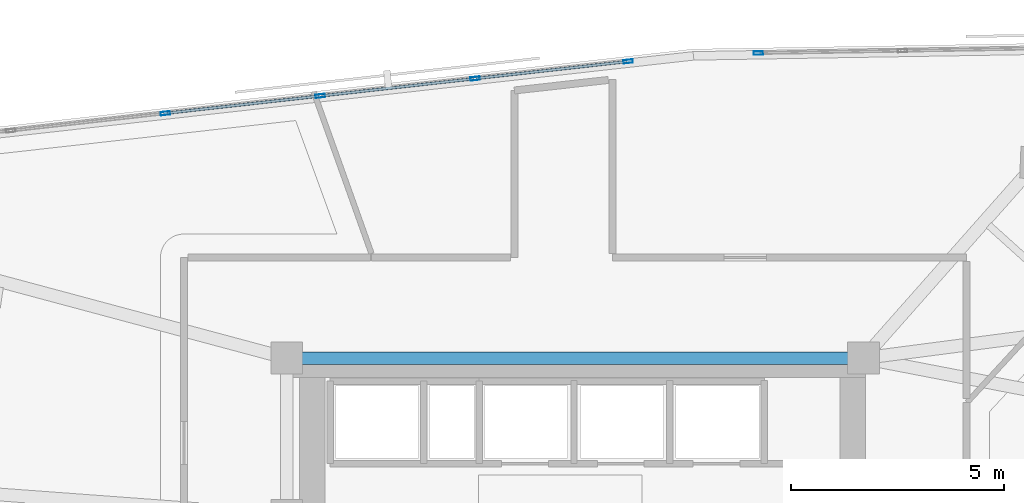
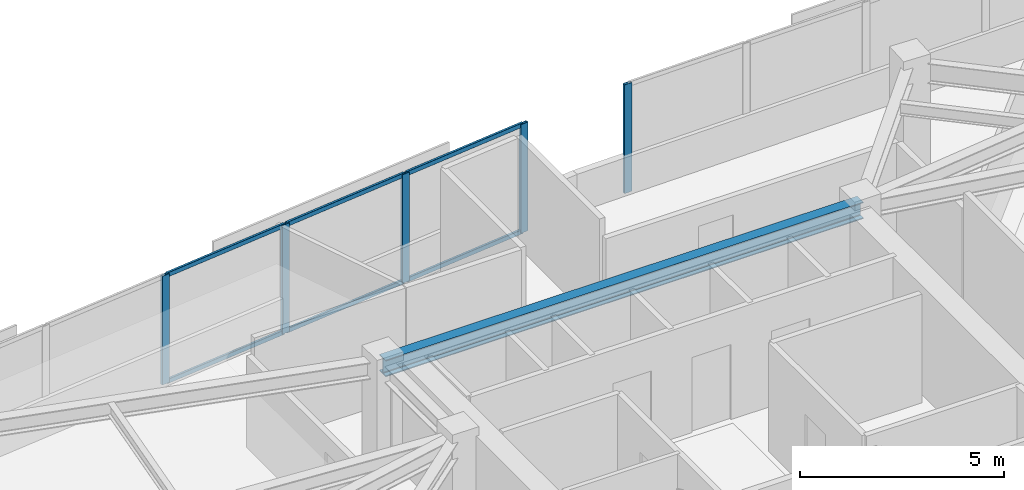
# One storey, part 3 of 12: 11 members, 1 beam, 2 elements without a shape of their own.
"""IFC4 building model written with IfcOpenShell, lengths in metres."""

from ifc_helpers import new_model, si_unit, direction, frame, origin, origin_2d, place, context, subcontext, project, spatial, hollow_rectangle, i_section, extrude, material, material_profile, profile_set, type_object, element, aggregate, save


model = new_model("IFC4")

# Units and contexts
model_context = context("Model", 3, precision=1e-05, world=origin(), true_north=direction((0.0, 1.0)))
body_context = subcontext(model_context, "Body", "Model", "MODEL_VIEW")
ifc_project = project(units=[si_unit("LENGTHUNIT", "METRE"), si_unit("AREAUNIT", "SQUARE_METRE"), si_unit("VOLUMEUNIT", "CUBIC_METRE"), si_unit("PLANEANGLEUNIT", "RADIAN"), si_unit("MASSUNIT", "GRAM", prefix="KILO")], contexts=[model_context])

# Site, building, storey
site_placement = place(None, origin())
site = spatial("IfcSite", under=ifc_project, at=site_placement, CompositionType="ELEMENT")
building_placement = place(site_placement, origin())
building = spatial("IfcBuilding", under=site, at=building_placement, Name="Narakoshi Arena Tower", CompositionType="ELEMENT")
storey_placement = place(building_placement, frame((0.0, 0.0, 267.780029296875)))
storey = spatial("IfcBuildingStorey", under=building, at=storey_placement, Name="L73", CompositionType="ELEMENT", Elevation=267.780029296875)

# Beam
ifc_material_1 = material(Name="Structural steel S355J2", Category="steel")
ifc_material_profile_1 = material_profile(ifc_material_1, i_section(OverallWidth=0.300048828125, OverallDepth=0.5, WebThickness=0.014404296875, FlangeThickness=0.028076171875, FilletRadius=0.027099609375, at=origin_2d()), Name="HE500B")
ifc_profile_set_1 = profile_set([ifc_material_profile_1], Name="Structural steel S355J2")
beam_type = type_object("IfcBeamType", Name="BM-PRI-500", PredefinedType="BEAM", material=ifc_profile_set_1)
beam_placement = place(storey_placement, frame((72.0, 56.5, 3.010009765625), z_axis=(1.0, 0.0, 0.0), x_axis=(0.0, 1.0, 0.0)))
element("IfcBeam", 1, at=beam_placement, inside=storey, type_object=beam_type, Name="L73 Core Perimeter Frame Beam CC5-CC6", PredefinedType="BEAM", context=body_context, shape_type="SweptSolid", body=[
    extrude(i_section(OverallWidth=0.300048828125, OverallDepth=0.5, WebThickness=0.014404296875, FlangeThickness=0.028076171875, FilletRadius=0.027099609375, at=origin_2d()), origin(), (0.0, 0.0, 1.0), 13.550048828125),
])

# Curtain wall, member
ifc_material_2 = material(Name="Anodised bronze aluminium 6063-T6", Category="aluminium")
curtain_wall_type = type_object("IfcCurtainWallType", Name="CW-HYP-HIGH", PredefinedType="NOTDEFINED", material=ifc_material_2)
curtain_wall_1_placement = place(storey_placement, origin())
curtain_wall_1 = element("IfcCurtainWall", 2, at=curtain_wall_1_placement, inside=storey, type_object=curtain_wall_type, Name="L73 Folded Hypotenuse Curtain Wall 1-1", PredefinedType="NOTDEFINED")
ifc_material_profile_2 = material_profile(ifc_material_2, hollow_rectangle(XDim=0.080078125, YDim=0.219970703125, WallThickness=0.0048828125, OuterFilletRadius=0.006103515625, at=origin_2d()), Name="MUL220x80x5")
ifc_profile_set_2 = profile_set([ifc_material_profile_2], Name="Anodised bronze aluminium 6063-T6")
member_type_1 = type_object("IfcMemberType", Name="MEM-MUL-220", PredefinedType="MULLION", material=ifc_profile_set_2)
member_1_placement = place(storey_placement, frame((83.08056640625, 63.668212890625, 0.0), z_axis=(0.0, 0.0, 1.0), x_axis=(0.016442997569, -0.999864804777, 0.0)))
member_1 = element("IfcMember", 3, at=member_1_placement, type_object=member_type_1, Name="CW-03 mullion 9", PredefinedType="MULLION", context=body_context, shape_type="SweptSolid", body=[
    extrude(hollow_rectangle(XDim=0.080078125, YDim=0.219970703125, WallThickness=0.0048828125, OuterFilletRadius=0.006103515625, at=origin_2d()), origin(), (0.0, 0.0, 1.0), 3.260009765625),
])
aggregate(curtain_wall_1, [member_1])

# Curtain wall, members
curtain_wall_2_placement = place(storey_placement, origin())
curtain_wall_2 = element("IfcCurtainWall", 4, at=curtain_wall_2_placement, inside=storey, type_object=curtain_wall_type, Name="L73 Folded Hypotenuse Curtain Wall 2-1", PredefinedType="NOTDEFINED")
member_2_placement = place(storey_placement, frame((80.021728515625, 63.471923828125, 0.0), z_axis=(0.0, 0.0, 1.0), x_axis=(0.111396496086, -0.9937760415, 0.0)))
member_2 = element("IfcMember", 5, at=member_2_placement, type_object=member_type_1, Name="CW-03 mullion 1", PredefinedType="MULLION", context=body_context, shape_type="SweptSolid", body=[
    extrude(hollow_rectangle(XDim=0.080078125, YDim=0.219970703125, WallThickness=0.0048828125, OuterFilletRadius=0.006103515625, at=origin_2d()), origin(), (0.0, 0.0, 1.0), 3.260009765625),
])
member_3_placement = place(storey_placement, frame((76.423828125, 63.06884765625, 0.0), z_axis=(0.0, 0.0, 1.0), x_axis=(0.111396496086, -0.9937760415, 0.0)))
member_3 = element("IfcMember", 6, at=member_3_placement, type_object=member_type_1, Name="CW-03 mullion 2", PredefinedType="MULLION", context=body_context, shape_type="SweptSolid", body=[
    extrude(hollow_rectangle(XDim=0.080078125, YDim=0.219970703125, WallThickness=0.0048828125, OuterFilletRadius=0.006103515625, at=origin_2d()), origin(), (0.0, 0.0, 1.0), 3.260009765625),
])
member_4_placement = place(storey_placement, frame((72.786376953125, 62.660888671875, 0.0), z_axis=(0.0, 0.0, 1.0), x_axis=(0.111396496086, -0.9937760415, 0.0)))
member_4 = element("IfcMember", 7, at=member_4_placement, type_object=member_type_1, Name="CW-03 mullion 3", PredefinedType="MULLION", context=body_context, shape_type="SweptSolid", body=[
    extrude(hollow_rectangle(XDim=0.080078125, YDim=0.219970703125, WallThickness=0.0048828125, OuterFilletRadius=0.006103515625, at=origin_2d()), origin(), (0.0, 0.0, 1.0), 3.260009765625),
])
member_5_placement = place(storey_placement, frame((69.148681640625, 62.253173828125, 0.0), z_axis=(0.0, 0.0, 1.0), x_axis=(0.111396496086, -0.9937760415, 0.0)))
member_5 = element("IfcMember", 8, at=member_5_placement, type_object=member_type_1, Name="CW-03 mullion 4", PredefinedType="MULLION", context=body_context, shape_type="SweptSolid", body=[
    extrude(hollow_rectangle(XDim=0.080078125, YDim=0.219970703125, WallThickness=0.0048828125, OuterFilletRadius=0.006103515625, at=origin_2d()), origin(), (0.0, 0.0, 1.0), 3.260009765625),
])
ifc_material_profile_3 = material_profile(ifc_material_2, hollow_rectangle(XDim=0.06494140625, YDim=0.1298828125, WallThickness=0.00390625, OuterFilletRadius=0.0048828125, at=origin_2d()), Name="TRN130x65x4")
ifc_profile_set_3 = profile_set([ifc_material_profile_3], Name="Anodised bronze aluminium 6063-T6")
member_type_2 = type_object("IfcMemberType", Name="MEM-TRN-130", PredefinedType="USERDEFINED", material=ifc_profile_set_3)
member_6_placement = place(storey_placement, frame((79.98193359375, 63.467529296875, 0.032470703125), z_axis=(-0.993779010945, -0.111370002267, 0.0), x_axis=(0.111370002267, -0.993779010945, 0.0)))
member_6 = element("IfcMember", 9, at=member_6_placement, type_object=member_type_2, Name="CW-03 transom 1.1", ObjectType="TRANSOM", PredefinedType="USERDEFINED", context=body_context, shape_type="SweptSolid", body=[
    extrude(hollow_rectangle(XDim=0.06494140625, YDim=0.1298828125, WallThickness=0.00390625, OuterFilletRadius=0.0048828125, at=origin_2d()), origin(), (0.0, 0.0, 1.0), 3.540283203125),
])
member_7_placement = place(storey_placement, frame((79.98193359375, 63.467529296875, 3.2275390625), z_axis=(-0.993779010945, -0.111370002267, 0.0), x_axis=(0.111370002267, -0.993779010945, 0.0)))
member_7 = element("IfcMember", 10, at=member_7_placement, type_object=member_type_2, Name="CW-03 transom 1.2", ObjectType="TRANSOM", PredefinedType="USERDEFINED", context=body_context, shape_type="SweptSolid", body=[
    extrude(hollow_rectangle(XDim=0.06494140625, YDim=0.1298828125, WallThickness=0.00390625, OuterFilletRadius=0.0048828125, at=origin_2d()), origin(), (0.0, 0.0, 1.0), 3.540283203125),
])
member_8_placement = place(storey_placement, frame((76.38427734375, 63.064208984375, 0.032470703125), z_axis=(-0.993781025425, -0.111352025149, 0.0), x_axis=(0.111352025149, -0.993781025425, 0.0)))
member_8 = element("IfcMember", 11, at=member_8_placement, type_object=member_type_2, Name="CW-03 transom 2.1", ObjectType="TRANSOM", PredefinedType="USERDEFINED", context=body_context, shape_type="SweptSolid", body=[
    extrude(hollow_rectangle(XDim=0.06494140625, YDim=0.1298828125, WallThickness=0.00390625, OuterFilletRadius=0.0048828125, at=origin_2d()), origin(), (0.0, 0.0, 1.0), 3.580322265625),
])
member_9_placement = place(storey_placement, frame((76.38427734375, 63.064208984375, 3.2275390625), z_axis=(-0.993781025425, -0.111352025149, 0.0), x_axis=(0.111352025149, -0.993781025425, 0.0)))
member_9 = element("IfcMember", 12, at=member_9_placement, type_object=member_type_2, Name="CW-03 transom 2.2", ObjectType="TRANSOM", PredefinedType="USERDEFINED", context=body_context, shape_type="SweptSolid", body=[
    extrude(hollow_rectangle(XDim=0.06494140625, YDim=0.1298828125, WallThickness=0.00390625, OuterFilletRadius=0.0048828125, at=origin_2d()), origin(), (0.0, 0.0, 1.0), 3.580322265625),
])
member_10_placement = place(storey_placement, frame((72.74658203125, 62.656494140625, 0.032470703125), z_axis=(-0.993781025425, -0.111352025149, 0.0), x_axis=(0.111352025149, -0.993781025425, 0.0)))
member_10 = element("IfcMember", 13, at=member_10_placement, type_object=member_type_2, Name="CW-03 transom 3.1", ObjectType="TRANSOM", PredefinedType="USERDEFINED", context=body_context, shape_type="SweptSolid", body=[
    extrude(hollow_rectangle(XDim=0.06494140625, YDim=0.1298828125, WallThickness=0.00390625, OuterFilletRadius=0.0048828125, at=origin_2d()), origin(), (0.0, 0.0, 1.0), 3.580322265625),
])
member_11_placement = place(storey_placement, frame((72.74658203125, 62.656494140625, 3.2275390625), z_axis=(-0.993781025425, -0.111352025149, 0.0), x_axis=(0.111352025149, -0.993781025425, 0.0)))
member_11 = element("IfcMember", 14, at=member_11_placement, type_object=member_type_2, Name="CW-03 transom 3.2", ObjectType="TRANSOM", PredefinedType="USERDEFINED", context=body_context, shape_type="SweptSolid", body=[
    extrude(hollow_rectangle(XDim=0.06494140625, YDim=0.1298828125, WallThickness=0.00390625, OuterFilletRadius=0.0048828125, at=origin_2d()), origin(), (0.0, 0.0, 1.0), 3.580322265625),
])
aggregate(curtain_wall_2, [member_2, member_3, member_4, member_5, member_6, member_7, member_8, member_9, member_10, member_11])

save(model, "model.ifc")
